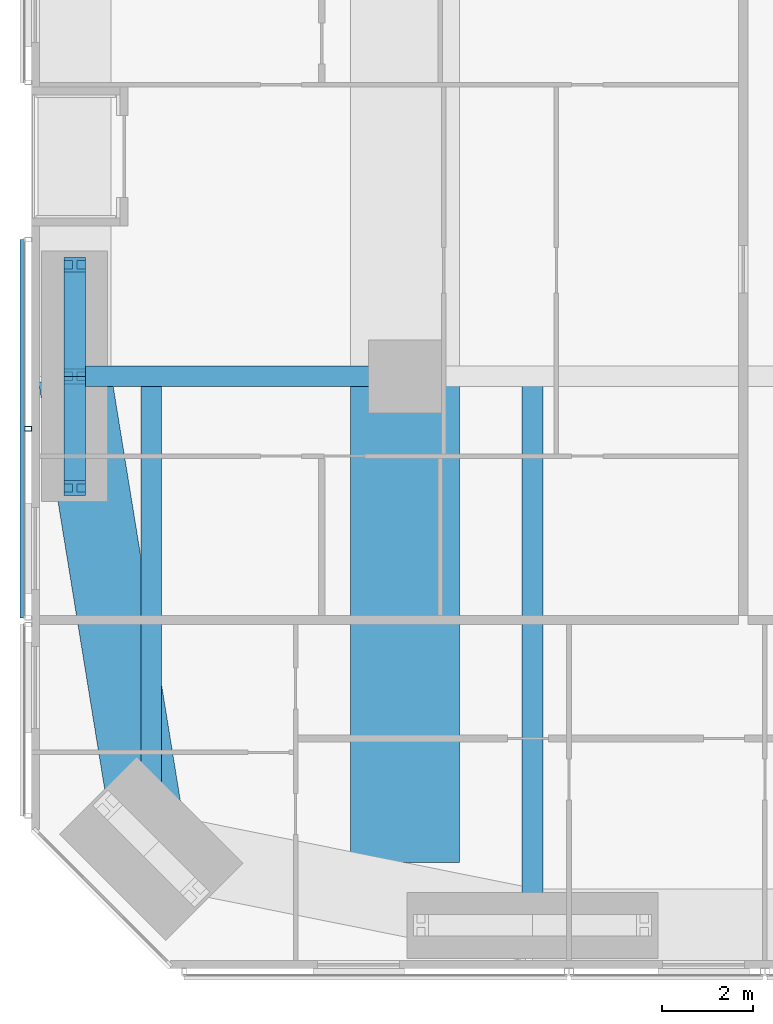
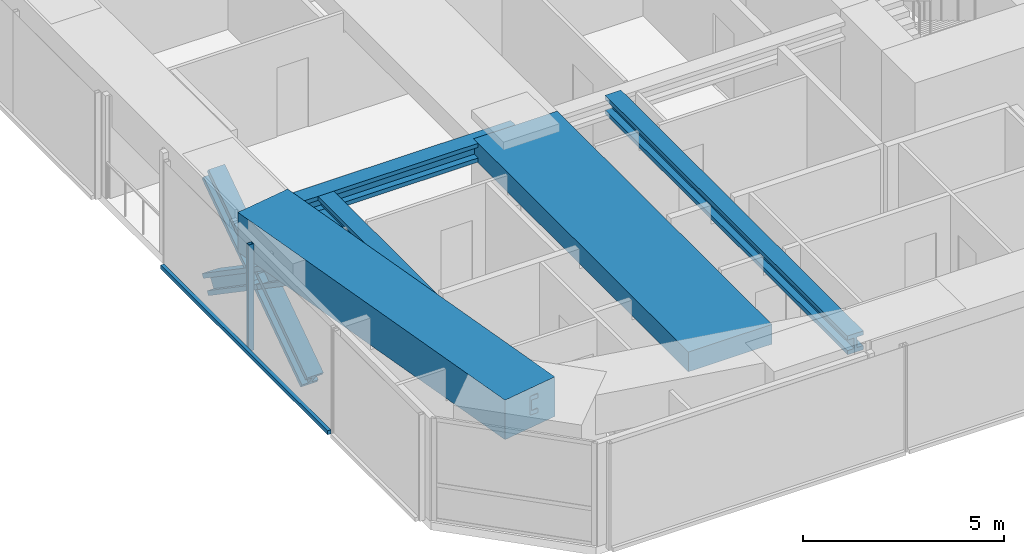
# One storey, part 3 of 24: 6 members, 5 beams, 1 element without a shape of its own.
"""IFC4 building model written with IfcOpenShell, lengths in metres."""

from ifc_helpers import new_model, si_unit, direction, frame, origin, origin_2d, place, context, subcontext, project, spatial, rectangle, hollow_rectangle, i_section, extrude, material, material_profile, profile_set, type_object, element, aggregate, save


model = new_model("IFC4")

# Units and contexts
model_context = context("Model", 3, precision=1e-05, world=origin(), true_north=direction((0.0, 1.0)))
body_context = subcontext(model_context, "Body", "Model", "MODEL_VIEW")
ifc_project = project(units=[si_unit("LENGTHUNIT", "METRE"), si_unit("AREAUNIT", "SQUARE_METRE"), si_unit("VOLUMEUNIT", "CUBIC_METRE"), si_unit("PLANEANGLEUNIT", "RADIAN"), si_unit("MASSUNIT", "GRAM", prefix="KILO")], contexts=[model_context])

# Site, building, storey
site_placement = place(None, origin())
site = spatial("IfcSite", under=ifc_project, at=site_placement, CompositionType="ELEMENT")
building_placement = place(site_placement, origin())
building = spatial("IfcBuilding", under=site, at=building_placement, Name="Jalousie Tower", CompositionType="ELEMENT")
storey_placement = place(building_placement, frame((0.0, 0.0, 54.5)))
storey = spatial("IfcBuildingStorey", under=building, at=storey_placement, Name="L14", CompositionType="ELEMENT", Elevation=54.5)

# Beams
ifc_material_1 = material(Name="Steel ASTM A992 Grade 50", Category="steel")
ifc_material_profile_1 = material_profile(ifc_material_1, i_section(OverallWidth=0.45458984375, OverallDepth=0.569091796875, WebThickness=0.077880859375, FlangeThickness=0.124755859375, at=origin_2d()), Name="W14X730")
ifc_profile_set_1 = profile_set([ifc_material_profile_1], Name="Steel ASTM A992 Grade 50")
beam_type_1 = type_object("IfcBeamType", Name="LEAN COLLECTOR W14X730", PredefinedType="BEAM", material=ifc_profile_set_1)
beam_1_placement = place(storey_placement, frame((2.949951171875, 13.0, 2.825439453125), z_axis=(1.0, 0.0, 0.0), x_axis=(0.0, 1.0, 0.0)))
element("IfcBeam", 1, at=beam_1_placement, inside=storey, type_object=beam_type_1, Name="Lean collector under L15", PredefinedType="BEAM", context=body_context, shape_type="SweptSolid", body=[
    extrude(i_section(OverallWidth=0.45458984375, OverallDepth=0.569091796875, WebThickness=0.077880859375, FlangeThickness=0.124755859375, at=origin_2d()), origin(), (0.0, 0.0, 1.0), 7.25),
])
beam_2_placement = place(storey_placement, frame((4.63134765625, 2.63134765625, 2.825439453125), z_axis=(0.0, 1.0, 0.0), x_axis=(-1.0, 0.0, 0.0)))
element("IfcBeam", 2, at=beam_2_placement, inside=storey, type_object=beam_type_1, Name="Lean collector under L15", PredefinedType="BEAM", context=body_context, shape_type="SweptSolid", body=[
    extrude(i_section(OverallWidth=0.45458984375, OverallDepth=0.569091796875, WebThickness=0.077880859375, FlangeThickness=0.124755859375, at=origin_2d()), origin(), (0.0, 0.0, 1.0), 10.36865234375),
])
beam_3_placement = place(storey_placement, frame((13.0, 0.949951171875, 2.825439453125), z_axis=(0.0, 1.0, 0.0), x_axis=(-1.0, 0.0, 0.0)))
element("IfcBeam", 3, at=beam_3_placement, inside=storey, type_object=beam_type_1, Name="Lean collector under L15", PredefinedType="BEAM", context=body_context, shape_type="SweptSolid", body=[
    extrude(i_section(OverallWidth=0.45458984375, OverallDepth=0.569091796875, WebThickness=0.077880859375, FlangeThickness=0.124755859375, at=origin_2d()), origin(), (0.0, 0.0, 1.0), 12.050048828125),
])

# Members
ifc_material_2 = material(Name="Steel ASTM A992 Grade 50", Category="steel")
ifc_material_profile_2 = material_profile(ifc_material_2, i_section(OverallWidth=0.472412109375, OverallDepth=0.5791015625, WebThickness=0.094970703125, FlangeThickness=0.1298828125, at=origin_2d()), Name="W14X808")
ifc_profile_set_2 = profile_set([ifc_material_profile_2], Name="Steel ASTM A992 Grade 50")
member_type_1 = type_object("IfcMemberType", Name="PERIMETER BRACE W14X808", PredefinedType="BRACE", material=ifc_profile_set_2)
for number, where, z_axis, x_axis, name in (
    (4, (2.949951171875, 10.550048828125, -0.60009765625), (0.0, 0.825500916831, 0.564400776321), (-1.0, 0.0, 0.0), "Perimeter brace 14 L14 part 1"),
    (5, (2.949951171875, 13.0, 1.074951171875), (0.0, 0.825500916831, 0.564400776321), (-1.0, 0.0, 0.0), "Perimeter brace 14 L14 part 2"),
    (6, (2.949951171875, 15.449951171875, -0.60009765625), (0.0, -0.825500916831, 0.564400776321), (1.0, 0.0, 0.0), "Perimeter brace 14 L14 part 3"),
    (7, (2.949951171875, 13.0, 1.074951171875), (0.0, -0.825500916831, 0.564400776321), (1.0, 0.0, 0.0), "Perimeter brace 14 L14 part 4"),
):
    element("IfcMember", number, at=place(storey_placement, frame(where, z_axis=z_axis, x_axis=x_axis)), inside=storey, type_object=member_type_1, Name=name, PredefinedType="BRACE", context=body_context, shape_type="SweptSolid", body=[
        extrude(i_section(OverallWidth=0.472412109375, OverallDepth=0.5791015625, WebThickness=0.094970703125, FlangeThickness=0.1298828125, at=origin_2d()), origin(), (0.0, 0.0, 1.0), 2.9677734375),
    ])

# Beams
ifc_material_3 = material(Name="Concrete f'c 40 MPa", Category="concrete")
ifc_material_profile_3 = material_profile(ifc_material_3, rectangle(XDim=1.60009765625, YDim=1.199951171875, at=origin_2d()), Name="RC 1600x1200")
ifc_profile_set_3 = profile_set([ifc_material_profile_3], Name="Concrete f'c 40 MPa")
beam_type_2 = type_object("IfcBeamType", Name="RC BEAM 1600x1200", PredefinedType="BEAM", material=ifc_profile_set_3)
beam_4_placement = place(storey_placement, frame((2.949951171875, 13.0, 2.75), z_axis=(0.160070546476, -0.987105577003, 0.0), x_axis=(0.987105577003, 0.160070546476, 0.0)))
element("IfcBeam", 8, at=beam_4_placement, inside=storey, type_object=beam_type_2, Name="Edge band beam 14-01 under L15", PredefinedType="BEAM", context=body_context, shape_type="SweptSolid", body=[
    extrude(rectangle(XDim=1.60009765625, YDim=1.199951171875, at=origin_2d()), origin(), (0.0, 0.0, 1.0), 10.504150390625),
])
ifc_material_4 = material(Name="Concrete f'c 40 MPa", Category="concrete")
ifc_material_profile_4 = material_profile(ifc_material_4, rectangle(XDim=2.39990234375, YDim=0.60009765625, at=origin_2d()), Name="RC 2400x600")
ifc_profile_set_4 = profile_set([ifc_material_profile_4], Name="Concrete f'c 40 MPa")
beam_type_3 = type_object("IfcBeamType", Name="RC BEAM 2400x600", PredefinedType="BEAM", material=ifc_profile_set_4)
beam_5_placement = place(storey_placement, frame((10.199951171875, 13.0, 2.81005859375), z_axis=(0.0, -1.0, 0.0), x_axis=(1.0, 0.0, 0.0)))
element("IfcBeam", 9, at=beam_5_placement, inside=storey, type_object=beam_type_3, Name="Floor band beam under L15", PredefinedType="BEAM", context=body_context, shape_type="SweptSolid", body=[
    extrude(rectangle(XDim=2.39990234375, YDim=0.60009765625, at=origin_2d()), origin(), (0.0, 0.0, 1.0), 10.67138671875),
])

# Curtain wall, members
ifc_material_5 = material(Name="Perforated aluminium sheet", Category="aluminium")
curtain_wall_type = type_object("IfcCurtainWallType", Name="SOLAR SCREEN SS-1", PredefinedType="USERDEFINED", material=ifc_material_5)
curtain_wall_placement = place(storey_placement, origin())
curtain_wall = element("IfcCurtainWall", 10, at=curtain_wall_placement, inside=storey, type_object=curtain_wall_type, Name="Solar screen L14", ObjectType="SOLAR SCREEN SS-1", PredefinedType="USERDEFINED")
ifc_material_6 = material(Name="Steel ASTM A500 Grade C", Category="steel")
ifc_material_profile_5 = material_profile(ifc_material_6, hollow_rectangle(XDim=0.1015625, YDim=0.15234375, WallThickness=0.00634765625, at=origin_2d()), Name="HSS6X4X1/4")
ifc_profile_set_5 = profile_set([ifc_material_profile_5], Name="Steel ASTM A500 Grade C")
member_type_2 = type_object("IfcMemberType", Name="SOLAR SCREEN SS-1 MULLION", PredefinedType="MULLION", material=ifc_profile_set_5)
member_1_placement = place(storey_placement, frame((1.9287109375, 11.85009765625, -0.1201171875), z_axis=(0.0, 0.0, 1.0), x_axis=(0.0, -1.0, 0.0)))
member_1 = element("IfcMember", 11, at=member_1_placement, type_object=member_type_2, Name="SS1 post 2", PredefinedType="MULLION", context=body_context, shape_type="SweptSolid", body=[
    extrude(hollow_rectangle(XDim=0.1015625, YDim=0.15234375, WallThickness=0.00634765625, at=origin_2d()), origin(), (0.0, 0.0, 1.0), 3.230224609375),
])
ifc_material_7 = material(Name="Extruded aluminium screen rail", Category="aluminium")
ifc_material_profile_6 = material_profile(ifc_material_7, rectangle(XDim=0.1015625, YDim=0.1201171875, at=origin_2d()), Name="RAIL 102x120")
ifc_profile_set_6 = profile_set([ifc_material_profile_6], Name="Extruded aluminium screen rail")
member_type_3 = type_object("IfcMemberType", Name="SOLAR SCREEN SS-1 TRANSOM", PredefinedType="USERDEFINED", material=ifc_profile_set_6)
member_2_placement = place(storey_placement, frame((1.8017578125, 16.0, -0.06005859375), z_axis=(0.0, -1.0, 0.0), x_axis=(1.0, 0.0, 0.0)))
member_2 = element("IfcMember", 12, at=member_2_placement, type_object=member_type_3, Name="SS1 rail", ObjectType="TRANSOM", PredefinedType="USERDEFINED", context=body_context, shape_type="SweptSolid", body=[
    extrude(rectangle(XDim=0.1015625, YDim=0.1201171875, at=origin_2d()), origin(), (0.0, 0.0, 1.0), 8.300048828125),
])
aggregate(curtain_wall, [member_1, member_2])

save(model, "model.ifc")
